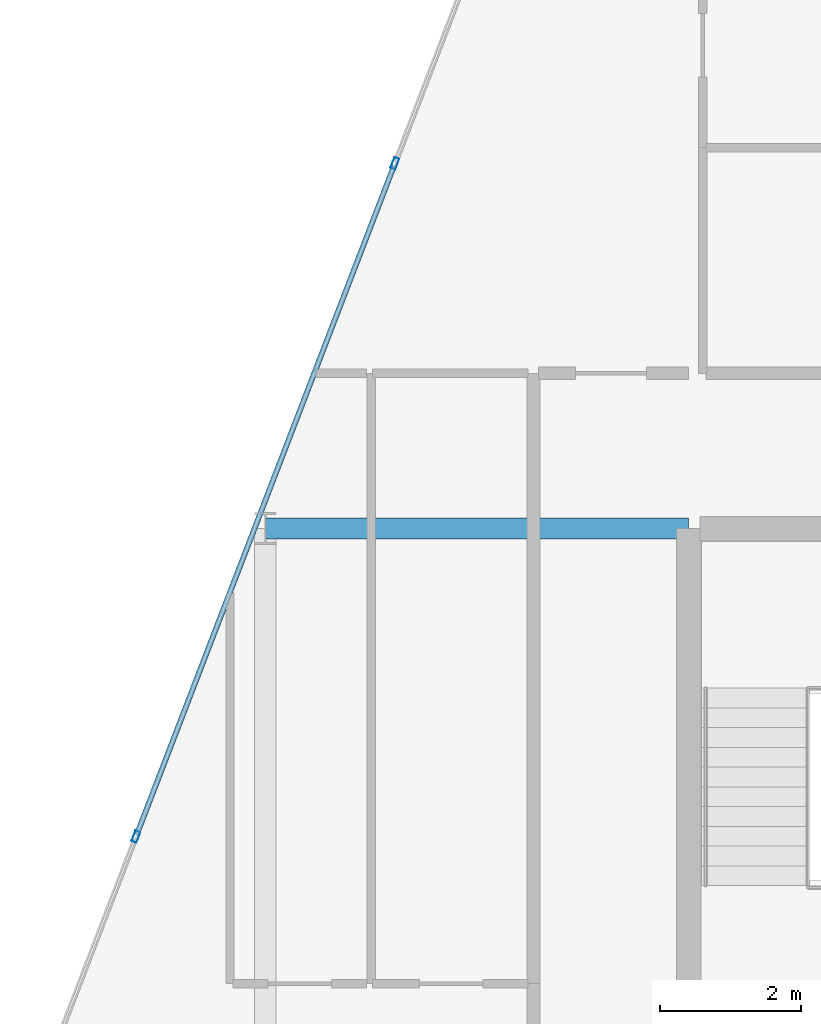
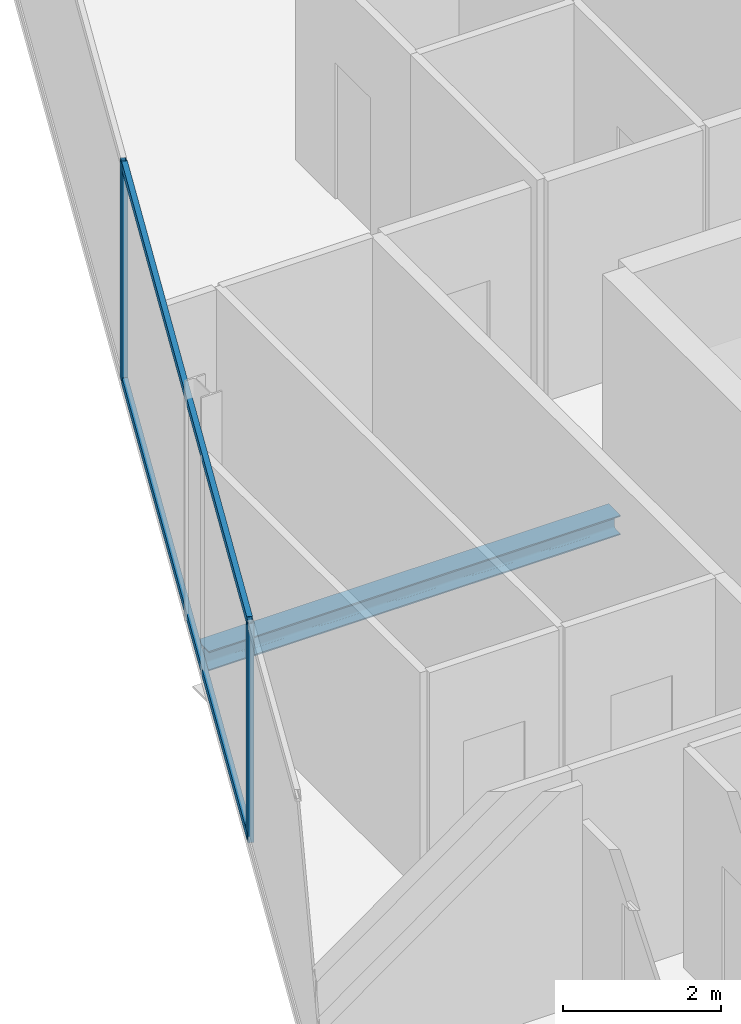
# One storey, part 16 of 29: 4 members, 1 beam, 1 element without a shape of its own.
"""IFC4 building model written with IfcOpenShell, lengths in metres."""

from ifc_helpers import new_model, si_unit, direction, frame, origin, origin_2d, place, context, subcontext, project, spatial, hollow_rectangle, i_section, extrude, material, layer, layer_set, material_profile, profile_set, type_object, element, aggregate, save


model = new_model("IFC4")

# Units and contexts
model_context = context("Model", 3, precision=1e-05, world=origin(), true_north=direction((0.0, 1.0)))
body_context = subcontext(model_context, "Body", "Model", "MODEL_VIEW")
ifc_project = project(units=[si_unit("LENGTHUNIT", "METRE"), si_unit("AREAUNIT", "SQUARE_METRE"), si_unit("VOLUMEUNIT", "CUBIC_METRE"), si_unit("PLANEANGLEUNIT", "RADIAN"), si_unit("MASSUNIT", "GRAM", prefix="KILO")], contexts=[model_context])

# Site, building, storey
site_placement = place(None, origin())
site = spatial("IfcSite", under=ifc_project, at=site_placement, CompositionType="ELEMENT")
building_placement = place(site_placement, origin())
building = spatial("IfcBuilding", under=site, at=building_placement, Name="Keshet Zoharim Tower", CompositionType="ELEMENT")
storey_placement = place(building_placement, frame((0.0, 0.0, 214.300048828125)))
storey = spatial("IfcBuildingStorey", under=building, at=storey_placement, Name="L53", CompositionType="ELEMENT", Elevation=214.300048828125)

# Beam
ifc_material_1 = material(Name="Steel S355", Category="steel")
ifc_material_profile_1 = material_profile(ifc_material_1, i_section(OverallWidth=0.300048828125, OverallDepth=0.300048828125, WebThickness=0.010986328125, FlangeThickness=0.01904296875, FilletRadius=0.027099609375, at=origin_2d()), Name="HEB300")
ifc_profile_set_1 = profile_set([ifc_material_profile_1], Name="Steel S355")
beam_type = type_object("IfcBeamType", Name="BM-PRI-HB300", PredefinedType="BEAM", material=ifc_profile_set_1)
beam_placement = place(storey_placement, frame((9.0, 37.89990234375, -0.4599609375), z_axis=(1.0, 0.0, 0.0), x_axis=(0.0, 1.0, 0.0)))
element("IfcBeam", 1, at=beam_placement, inside=storey, type_object=beam_type, Name="L53 Primary Girder X-017", PredefinedType="BEAM", context=body_context, shape_type="SweptSolid", body=[
    extrude(i_section(OverallWidth=0.300048828125, OverallDepth=0.300048828125, WebThickness=0.010986328125, FlangeThickness=0.01904296875, FilletRadius=0.027099609375, at=origin_2d()), origin(), (0.0, 0.0, 1.0), 6.0),
])

# Curtain wall, members
ifc_material_2 = material(Name="Aluminium 6063-T6", Category="aluminium")
ifc_layer = layer(ifc_material_2, 0.139892578125)
ifc_layer_set = layer_set([ifc_layer], Name="Aluminium 6063-T6")
curtain_wall_type = type_object("IfcCurtainWallType", Name="CW-SYS-05", PredefinedType="NOTDEFINED", material=ifc_layer_set)
curtain_wall_placement = place(storey_placement, origin())
curtain_wall = element("IfcCurtainWall", 2, at=curtain_wall_placement, inside=storey, type_object=curtain_wall_type, Name="L53 Unitised Curtain Wall 13", PredefinedType="NOTDEFINED")
ifc_material_profile_2 = material_profile(ifc_material_2, hollow_rectangle(XDim=0.074951171875, YDim=0.159912109375, WallThickness=0.00390625, at=origin_2d()), Name="MUL-75x160")
ifc_profile_set_2 = profile_set([ifc_material_profile_2], Name="Aluminium 6063-T6")
member_type_1 = type_object("IfcMemberType", Name="CWM-M15", PredefinedType="MULLION", material=ifc_profile_set_2)
member_1_placement = place(storey_placement, frame((7.1669921875, 33.53466796875, 0.0), z_axis=(0.0, 0.0, 1.0), x_axis=(-0.933341404361, 0.358990003907, 0.0)))
member_1 = element("IfcMember", 3, at=member_1_placement, type_object=member_type_1, Name="CW-05 mullion 2", PredefinedType="MULLION", context=body_context, shape_type="SweptSolid", body=[
    extrude(hollow_rectangle(XDim=0.074951171875, YDim=0.159912109375, WallThickness=0.00390625, at=origin_2d()), origin(), (0.0, 0.0, 1.0), 3.3798828125),
])
member_2_placement = place(storey_placement, frame((10.8369140625, 43.076416015625, 0.0), z_axis=(0.0, 0.0, 1.0), x_axis=(-0.933341404361, 0.358990003907, 0.0)))
member_2 = element("IfcMember", 4, at=member_2_placement, type_object=member_type_1, Name="CW-05 mullion 3", PredefinedType="MULLION", context=body_context, shape_type="SweptSolid", body=[
    extrude(hollow_rectangle(XDim=0.074951171875, YDim=0.159912109375, WallThickness=0.00390625, at=origin_2d()), origin(), (0.0, 0.0, 1.0), 3.3798828125),
])
ifc_material_profile_3 = material_profile(ifc_material_2, hollow_rectangle(XDim=0.074951171875, YDim=0.1201171875, WallThickness=0.00390625, at=origin_2d()), Name="TRN-75x120")
ifc_profile_set_3 = profile_set([ifc_material_profile_3], Name="Aluminium 6063-T6")
member_type_2 = type_object("IfcMemberType", Name="CWT-T12", PredefinedType="USERDEFINED", material=ifc_profile_set_3)
member_3_placement = place(storey_placement, frame((7.179443359375, 33.5673828125, 0.034912109375), z_axis=(0.359003248899, 0.933336309848, 0.0), x_axis=(-0.933336309848, 0.359003248899, 0.0)))
member_3 = element("IfcMember", 5, at=member_3_placement, type_object=member_type_2, Name="CW-05 transom 2.1", ObjectType="TRANSOM", PredefinedType="USERDEFINED", context=body_context, shape_type="SweptSolid", body=[
    extrude(hollow_rectangle(XDim=0.074951171875, YDim=0.1201171875, WallThickness=0.00390625, at=origin_2d()), origin(), (0.0, 0.0, 1.0), 10.153076171875),
])
member_4_placement = place(storey_placement, frame((7.179443359375, 33.5673828125, 3.344970703125), z_axis=(0.359003248899, 0.933336309848, 0.0), x_axis=(-0.933336309848, 0.359003248899, 0.0)))
member_4 = element("IfcMember", 6, at=member_4_placement, type_object=member_type_2, Name="CW-05 transom 2.2", ObjectType="TRANSOM", PredefinedType="USERDEFINED", context=body_context, shape_type="SweptSolid", body=[
    extrude(hollow_rectangle(XDim=0.074951171875, YDim=0.1201171875, WallThickness=0.00390625, at=origin_2d()), origin(), (0.0, 0.0, 1.0), 10.153076171875),
])
aggregate(curtain_wall, [member_1, member_2, member_3, member_4])

save(model, "model.ifc")
